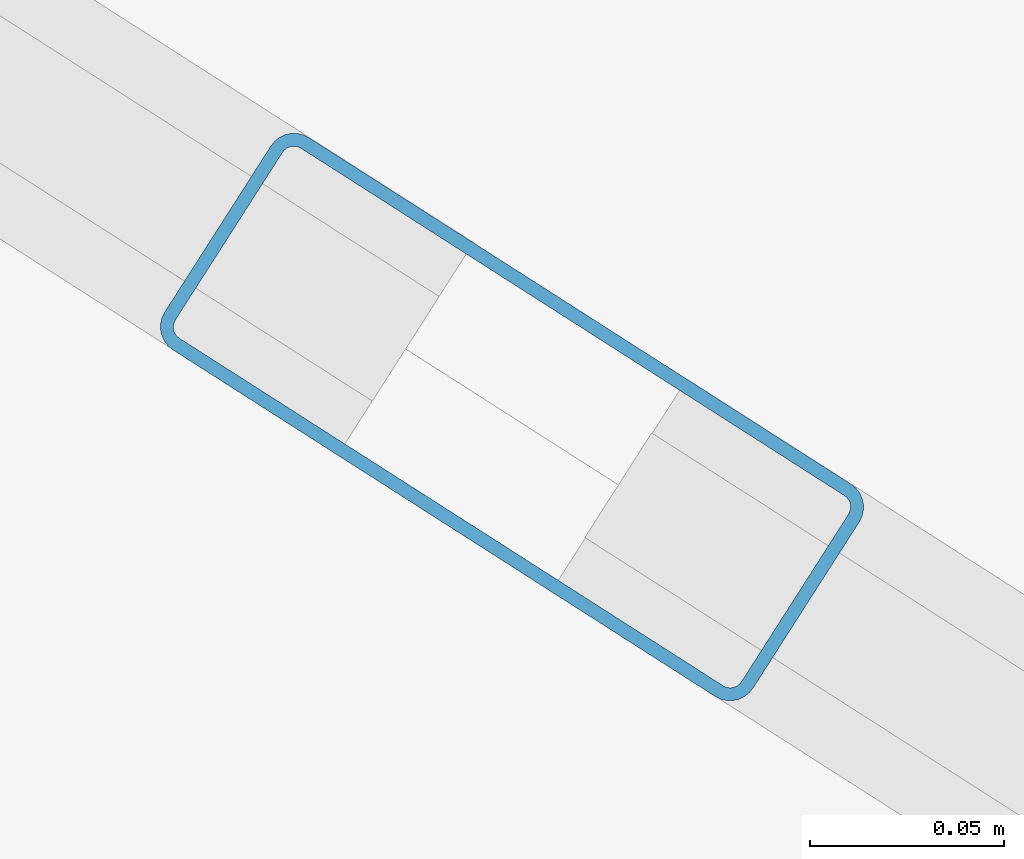
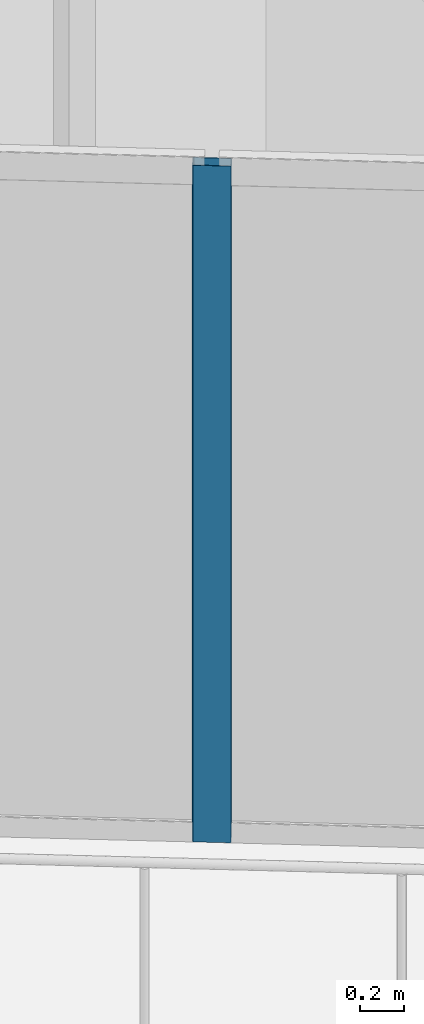
# One storey, part 2 of 36: 1 member, 1 element without a shape of its own.
"""IFC4 building model written with IfcOpenShell, lengths in metres."""

from ifc_helpers import new_model, si_unit, direction, frame, origin, origin_2d, place, context, subcontext, project, spatial, hollow_rectangle, extrude, material, layer, layer_set, material_profile, profile_set, type_object, element, aggregate, save


model = new_model("IFC4")

# Units and contexts
model_context = context("Model", 3, precision=1e-05, world=origin(), true_north=direction((0.0, 1.0)))
body_context = subcontext(model_context, "Body", "Model", "MODEL_VIEW")
ifc_project = project(units=[si_unit("LENGTHUNIT", "METRE"), si_unit("AREAUNIT", "SQUARE_METRE"), si_unit("VOLUMEUNIT", "CUBIC_METRE"), si_unit("PLANEANGLEUNIT", "RADIAN"), si_unit("MASSUNIT", "GRAM", prefix="KILO")], contexts=[model_context])

# Site, building, storey
site_placement = place(None, origin())
site = spatial("IfcSite", under=ifc_project, at=site_placement, CompositionType="ELEMENT")
building_placement = place(site_placement, origin())
building = spatial("IfcBuilding", under=site, at=building_placement, Name="Qorvath Tower", CompositionType="ELEMENT")
storey_placement = place(building_placement, frame((0.0, 0.0, 205.050048828125)))
storey = spatial("IfcBuildingStorey", under=building, at=storey_placement, Name="L47", CompositionType="ELEMENT", Elevation=205.050048828125)

# Curtain wall, member
ifc_material_1 = material(Name="Anodised aluminium and triple low-E glass", Category="aluminium")
ifc_layer = layer(ifc_material_1, 0.179931640625)
ifc_layer_set = layer_set([ifc_layer], Name="CW-SYS-3")
curtain_wall_type = type_object("IfcCurtainWallType", Name="CW-SYS-3", PredefinedType="NOTDEFINED", material=ifc_layer_set)
curtain_wall_placement = place(storey_placement, origin())
curtain_wall = element("IfcCurtainWall", 1, at=curtain_wall_placement, inside=storey, type_object=curtain_wall_type, Name="Curtain Wall CW-3 CW-T-L47-2.1", PredefinedType="NOTDEFINED")
ifc_material_2 = material(Name="Anodised aluminium 6063-T6", Category="aluminium")
ifc_material_profile = material_profile(ifc_material_2, hollow_rectangle(XDim=0.06494140625, YDim=0.179931640625, WallThickness=0.00341796875, InnerFilletRadius=0.00341796875, OuterFilletRadius=0.007080078125, at=origin_2d()), Name="CWM 180x65")
ifc_profile_set = profile_set([ifc_material_profile], Name="Anodised aluminium 6063-T6")
member_type = type_object("IfcMemberType", Name="CWM-180", PredefinedType="MULLION", material=ifc_profile_set)
member_placement = place(storey_placement, frame((-40.50537109375, -12.583740234375, 0.0), z_axis=(0.0, 0.0, 1.0), x_axis=(0.538533623725, 0.842604020948, 0.0)))
member = element("IfcMember", 2, at=member_placement, type_object=member_type, Name="CW-3 mullion 4", PredefinedType="MULLION", context=body_context, shape_type="SweptSolid", body=[
    extrude(hollow_rectangle(XDim=0.06494140625, YDim=0.179931640625, WallThickness=0.00341796875, InnerFilletRadius=0.00341796875, OuterFilletRadius=0.007080078125, at=origin_2d()), origin(), (0.0, 0.0, 1.0), 3.780029296875),
])
aggregate(curtain_wall, [member])

save(model, "model.ifc")
